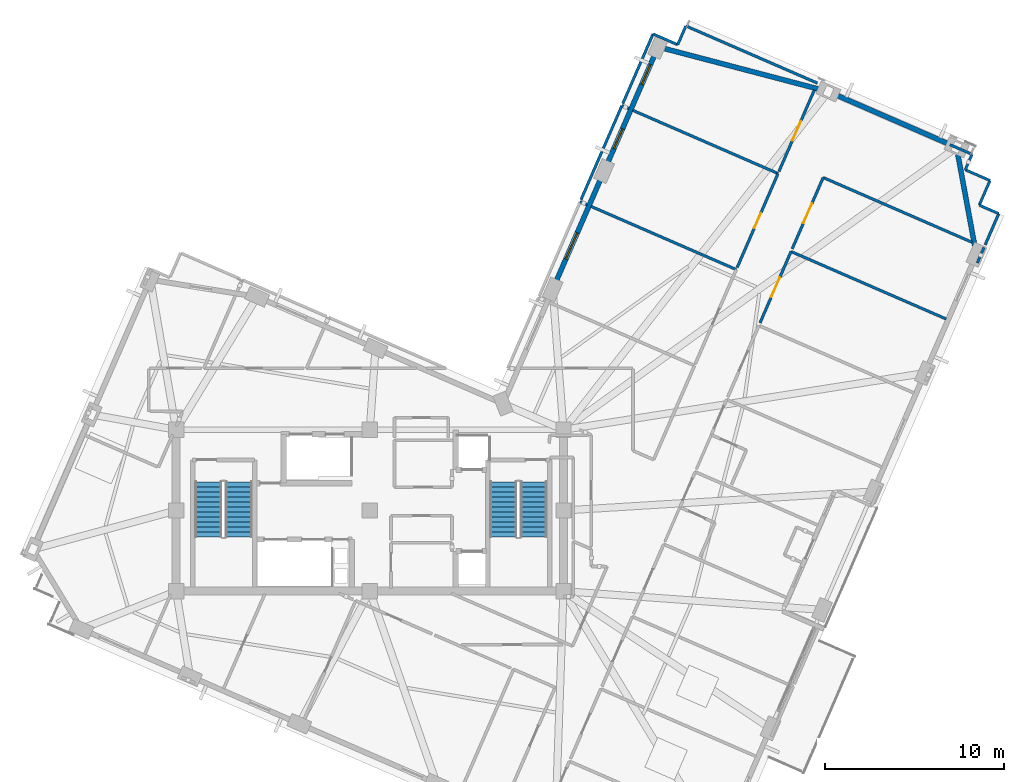
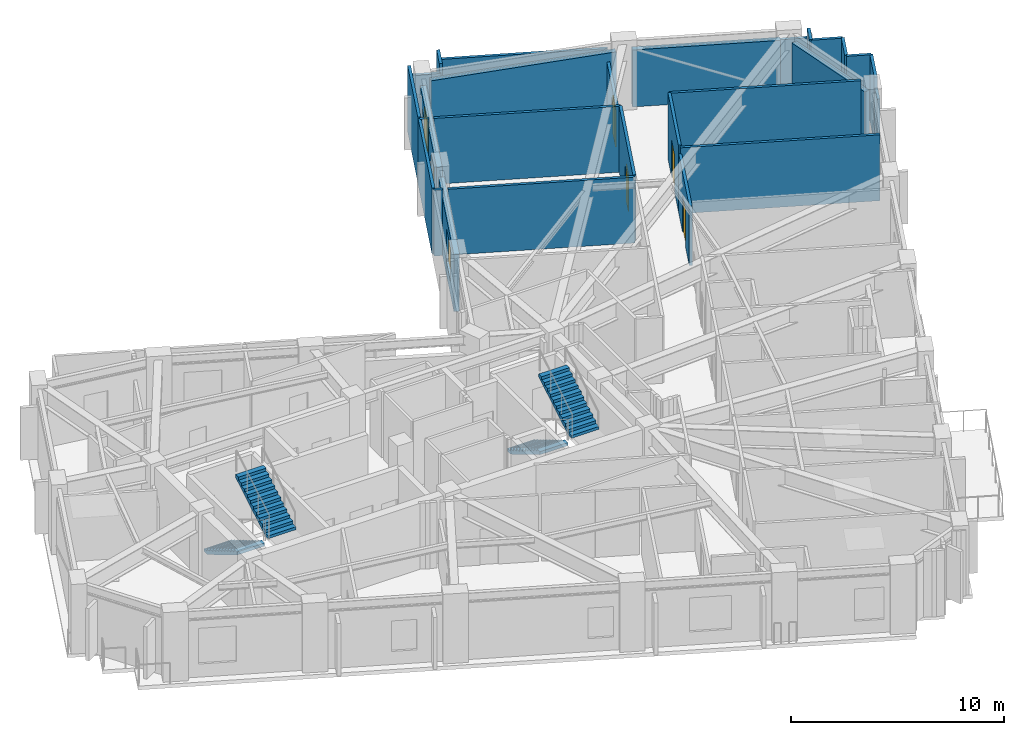
# One storey, part 9 of 12: 27 walls, 4 doors, 4 stair flights, 3 windows, 7 openings, 2 elements without a shape of their own.
"""IFC4 building model written with IfcOpenShell, lengths in metres."""

from ifc_helpers import new_model, si_unit, direction, frame, frame_2d, origin, place, context, subcontext, project, spatial, polyline, rectangle, outline, extrude, material, layer, layer_set, type_object, element, fill, aggregate, save


model = new_model("IFC4")

# Units and contexts
model_context = context("Model", 3, precision=1e-05, world=origin(), true_north=direction((0.0, 1.0)))
body_context = subcontext(model_context, "Body", "Model", "MODEL_VIEW")
ifc_project = project(units=[si_unit("LENGTHUNIT", "METRE"), si_unit("AREAUNIT", "SQUARE_METRE"), si_unit("VOLUMEUNIT", "CUBIC_METRE"), si_unit("PLANEANGLEUNIT", "RADIAN"), si_unit("MASSUNIT", "GRAM", prefix="KILO")], contexts=[model_context])

# Site, building, storey
site_placement = place(None, origin())
site = spatial("IfcSite", under=ifc_project, at=site_placement, CompositionType="ELEMENT")
building_placement = place(site_placement, origin())
building = spatial("IfcBuilding", under=site, at=building_placement, Name="Gaonmaruhae Medical Tower", CompositionType="ELEMENT")
storey_placement = place(building_placement, frame((0.0, 0.0, 320.60009765625)))
storey = spatial("IfcBuildingStorey", under=building, at=storey_placement, Name="L77", CompositionType="ELEMENT", Elevation=320.60009765625)

# Walls
ifc_material_1 = material(Name="Precast concrete C45/55", Category="concrete")
ifc_layer_1 = layer(ifc_material_1, 0.280029296875)
ifc_layer_set_1 = layer_set([ifc_layer_1], Name="Precast concrete C45/55")
wall_type_1 = type_object("IfcWallType", Name="EW-280 Upper Precast Masonry-Frame Facade Wall", PredefinedType="SOLIDWALL", material=ifc_layer_set_1)
wall_1_placement = place(storey_placement, frame((57.597900390625, 32.16162109375, 0.0), z_axis=(0.0, 0.0, 1.0), x_axis=(0.181421889976, -0.983405357845, 0.0)))
element("IfcWall", 1, at=wall_1_placement, inside=storey, type_object=wall_type_1, Name="L77 Precast Masonry-Frame Wall S06-E01", PredefinedType="SOLIDWALL", context=body_context, shape_type="SweptSolid", body=[
    extrude(rectangle(XDim=5.292724609375, YDim=0.280029296875, at=frame_2d((2.646484375, 0.0))), origin(), (0.0, 0.0, 1.0), 3.264892578125),
])
wall_2_placement = place(storey_placement, frame((50.7373046875, 35.50439453125, 0.0), z_axis=(0.0, 0.0, 1.0), x_axis=(0.917057311373, -0.398755423359, 0.0)))
element("IfcWall", 2, at=wall_2_placement, inside=storey, type_object=wall_type_1, Name="L77 Precast Masonry-Frame Wall E01-E02", PredefinedType="SOLIDWALL", context=body_context, shape_type="SweptSolid", body=[
    extrude(rectangle(XDim=7.0048828125, YDim=0.280029296875, at=frame_2d((3.50244140625, 0.0))), origin(), (0.0, 0.0, 1.0), 3.264892578125),
])
wall_3_placement = place(storey_placement, frame((41.263671875, 38.05419921875, 0.0), z_axis=(0.0, 0.0, 1.0), x_axis=(0.967228971308, -0.253905724755, 0.0)))
element("IfcWall", 3, at=wall_3_placement, inside=storey, type_object=wall_type_1, Name="L77 Precast Masonry-Frame Wall E02-E03", PredefinedType="SOLIDWALL", context=body_context, shape_type="SweptSolid", body=[
    extrude(rectangle(XDim=9.020263671875, YDim=0.280029296875, at=frame_2d((4.51025390625, 0.0))), origin(), (0.0, 0.0, 1.0), 3.264892578125),
])

# Wall, openings, windows
wall_4_placement = place(storey_placement, frame((38.027099609375, 31.595947265625, 0.0), z_axis=(0.0, 0.0, 1.0), x_axis=(0.398764437463, 0.917053391802, 0.0)))
wall_4 = element("IfcWall", 4, at=wall_4_placement, inside=storey, type_object=wall_type_1, Name="L77 Precast Masonry-Frame Wall E03-EN01", PredefinedType="SOLIDWALL", context=body_context, shape_type="SweptSolid", body=[
    extrude(rectangle(XDim=6.7548828125, YDim=0.280029296875, at=frame_2d((3.37744140625, 0.0))), origin(), (0.0, 0.0, 1.0), 3.264892578125),
])
opening_1_placement = place(wall_4_placement, frame((0.967529296875, 0.0, 0.75)))
opening_1 = element("IfcOpeningElement", 5, at=opening_1_placement, cuts=wall_4, Name="Opening WN-05", PredefinedType="OPENING", context=body_context, shape_type="SweptSolid", body=[
    extrude(rectangle(XDim=1.199951171875, YDim=1.75, at=frame_2d((0.60009765625, 0.875))), frame((0.0, 0.14990234375, 0.0), z_axis=(0.0, -1.0, 0.0), x_axis=(1.0, 0.0, 0.0)), (0.0, 0.0, 1.0), 0.300048828125),
])
opening_2_placement = place(wall_4_placement, frame((4.875, 0.0, 0.75)))
opening_2 = element("IfcOpeningElement", 6, at=opening_2_placement, cuts=wall_4, Name="Opening WN-05", PredefinedType="OPENING", context=body_context, shape_type="SweptSolid", body=[
    extrude(rectangle(XDim=1.199951171875, YDim=1.75, at=frame_2d((0.60009765625, 0.875))), frame((0.0, 0.14990234375, 0.0), z_axis=(0.0, -1.0, 0.0), x_axis=(1.0, 0.0, 0.0)), (0.0, 0.0, 1.0), 0.300048828125),
])
ifc_material_2 = material(Name="Anodised aluminium and Low-E double glazing", Category="aluminium")
window_type_1 = type_object("IfcWindowType", Name="WN-05 Support & Staff Punched Window 1200x1750", PartitioningType="SINGLE_PANEL", PredefinedType="WINDOW", material=ifc_material_2)
window_1_placement = place(opening_1_placement, origin())
window_1 = element("IfcWindow", 7, at=window_1_placement, inside=storey, type_object=window_type_1, Name="L77 Modular Facade Window E03", OverallHeight=1.75, OverallWidth=1.199951171875, PartitioningType="SINGLE_PANEL", PredefinedType="WINDOW", context=body_context, shape_type="SweptSolid", body=[
    extrude(rectangle(XDim=1.199951171875, YDim=1.75, at=frame_2d((0.60009765625, 0.875))), frame((0.0, 0.030029296875, 0.0), z_axis=(0.0, -1.0, 0.0), x_axis=(1.0, 0.0, 0.0)), (0.0, 0.0, 1.0), 0.06005859375),
])
fill(opening_1, window_1)
window_2_placement = place(opening_2_placement, origin())
window_2 = element("IfcWindow", 8, at=window_2_placement, inside=storey, type_object=window_type_1, Name="L77 Modular Facade Window E03B", OverallHeight=1.75, OverallWidth=1.199951171875, PartitioningType="SINGLE_PANEL", PredefinedType="WINDOW", context=body_context, shape_type="SweptSolid", body=[
    extrude(rectangle(XDim=1.199951171875, YDim=1.75, at=frame_2d((0.60009765625, 0.875))), frame((0.0, 0.030029296875, 0.0), z_axis=(0.0, -1.0, 0.0), x_axis=(1.0, 0.0, 0.0)), (0.0, 0.0, 1.0), 0.06005859375),
])
fill(opening_2, window_2)

# Wall, opening, window
wall_5_placement = place(storey_placement, frame((35.156005859375, 24.9931640625, 0.0), z_axis=(0.0, 0.0, 1.0), x_axis=(0.398758169539, 0.917056117272, 0.0)))
wall_5 = element("IfcWall", 9, at=wall_5_placement, inside=storey, type_object=wall_type_1, Name="L77 Precast Masonry-Frame Wall EN01-EN02", PredefinedType="SOLIDWALL", context=body_context, shape_type="SweptSolid", body=[
    extrude(rectangle(XDim=6.40478515625, YDim=0.280029296875, at=frame_2d((3.202392578125, 0.0))), origin(), (0.0, 0.0, 1.0), 3.264892578125),
])
opening_3_placement = place(wall_5_placement, frame((1.44677734375, 0.0, 0.75)))
opening_3 = element("IfcOpeningElement", 10, at=opening_3_placement, cuts=wall_5, Name="Opening WN-01", PredefinedType="OPENING", context=body_context, shape_type="SweptSolid", body=[
    extrude(rectangle(XDim=1.60009765625, YDim=1.949951171875, at=frame_2d((0.800048828125, 0.97509765625))), frame((0.0, 0.14990234375, 0.0), z_axis=(0.0, -1.0, 0.0), x_axis=(1.0, 0.0, 0.0)), (0.0, 0.0, 1.0), 0.300048828125),
])
window_type_2 = type_object("IfcWindowType", Name="WN-01 Ward Punched Acoustic Window 1600x1950", PartitioningType="SINGLE_PANEL", PredefinedType="WINDOW", material=ifc_material_2)
window_3_placement = place(opening_3_placement, origin())
window_3 = element("IfcWindow", 11, at=window_3_placement, inside=storey, type_object=window_type_2, Name="L77 Modular Facade Window EN01", OverallHeight=1.949951171875, OverallWidth=1.60009765625, PartitioningType="SINGLE_PANEL", PredefinedType="WINDOW", context=body_context, shape_type="SweptSolid", body=[
    extrude(rectangle(XDim=1.60009765625, YDim=1.949951171875, at=frame_2d((0.800048828125, 0.97509765625))), frame((0.0, 0.030029296875, 0.0), z_axis=(0.0, -1.0, 0.0), x_axis=(1.0, 0.0, 0.0)), (0.0, 0.0, 1.0), 0.06005859375),
])
fill(opening_3, window_3)

# Wall, opening, door
ifc_material_3 = material(Name="Gypsum board partition", Category="gypsum")
ifc_layer_2 = layer(ifc_material_3, 0.14990234375)
ifc_layer_set_2 = layer_set([ifc_layer_2], Name="Gypsum board partition")
wall_type_2 = type_object("IfcWallType", Name="PW-150 Rated Clinical Corridor Partition", PredefinedType="PARTITIONING", material=ifc_layer_set_2)
wall_6_placement = place(storey_placement, frame((46.56298828125, 22.761962890625, 0.0), z_axis=(0.0, 0.0, 1.0), x_axis=(0.398639711207, 0.917107616722, 0.0)))
wall_6 = element("IfcWall", 12, at=wall_6_placement, inside=storey, type_object=wall_type_2, Name="L77 Interior Partition L77-SUP05-49", PredefinedType="PARTITIONING", context=body_context, shape_type="SweptSolid", body=[
    extrude(rectangle(XDim=4.339599609375, YDim=0.14990234375, at=frame_2d((2.169921875, 0.0))), origin(), (0.0, 0.0, 1.0), 3.414794921875),
])
opening_4_placement = place(wall_6_placement, frame((1.56982421875, 0.0, 0.0)))
opening_4 = element("IfcOpeningElement", 13, at=opening_4_placement, cuts=wall_6, Name="Opening CD-02", PredefinedType="OPENING", context=body_context, shape_type="SweptSolid", body=[
    extrude(rectangle(XDim=1.199951171875, YDim=2.14990234375, at=frame_2d((0.60009765625, 1.074951171875))), frame((0.0, 0.0849609375, 0.0), z_axis=(0.0, -1.0, 0.0), x_axis=(1.0, 0.0, 0.0)), (0.0, 0.0, 1.0), 0.169921875),
])
ifc_material_4 = material(Name="Antimicrobial laminate timber fire door", Category="wood")
door_type_1 = type_object("IfcDoorType", Name="CD-02 Clinical Treatment & Procedure Door 1200x2150", OperationType="NOTDEFINED", PredefinedType="DOOR", material=ifc_material_4)
door_1_placement = place(opening_4_placement, origin())
door_1 = element("IfcDoor", 14, at=door_1_placement, inside=storey, type_object=door_type_1, Name="L77 Clinical Biomedical Charting Office Door", OperationType="SINGLE_SWING_RIGHT", OverallHeight=2.14990234375, OverallWidth=1.199951171875, PredefinedType="DOOR", context=body_context, shape_type="SweptSolid", body=[
    extrude(rectangle(XDim=1.199951171875, YDim=2.14990234375, at=frame_2d((0.60009765625, 1.074951171875))), frame((0.0, 0.02490234375, 0.0), z_axis=(0.0, -1.0, 0.0), x_axis=(1.0, 0.0, 0.0)), (0.0, 0.0, 1.0), 0.050048828125),
])
fill(opening_4, door_1)

# Wall
wall_7_placement = place(storey_placement, frame((48.29296875, 26.741943359375, 0.0), z_axis=(0.0, 0.0, 1.0), x_axis=(0.917063062267, -0.398742197197, 0.0)))
element("IfcWall", 15, at=wall_7_placement, inside=storey, type_object=wall_type_2, Name="L77 Interior Partition L77-SUP05-50", PredefinedType="PARTITIONING", context=body_context, shape_type="SweptSolid", body=[
    extrude(rectangle(XDim=9.4345703125, YDim=0.14990234375, at=frame_2d((4.71728515625, 0.0))), origin(), (0.0, 0.0, 1.0), 3.77978515625),
])

# Wall, opening, door
wall_8_placement = place(storey_placement, frame((48.35693359375, 26.888916015625, 0.0), z_axis=(0.0, 0.0, 1.0), x_axis=(0.398639711207, 0.917107616722, 0.0)))
wall_8 = element("IfcWall", 16, at=wall_8_placement, inside=storey, type_object=wall_type_2, Name="L77 Interior Partition L77-SUP06-52", PredefinedType="PARTITIONING", context=body_context, shape_type="SweptSolid", body=[
    extrude(rectangle(XDim=4.339599609375, YDim=0.14990234375, at=frame_2d((2.169921875, 0.0))), origin(), (0.0, 0.0, 1.0), 3.77978515625),
])
opening_5_placement = place(wall_8_placement, frame((1.56982421875, 0.0, 0.0)))
opening_5 = element("IfcOpeningElement", 17, at=opening_5_placement, cuts=wall_8, Name="Opening CD-02", PredefinedType="OPENING", context=body_context, shape_type="SweptSolid", body=[
    extrude(rectangle(XDim=1.199951171875, YDim=2.14990234375, at=frame_2d((0.60009765625, 1.074951171875))), frame((0.0, 0.0849609375, 0.0), z_axis=(0.0, -1.0, 0.0), x_axis=(1.0, 0.0, 0.0)), (0.0, 0.0, 1.0), 0.169921875),
])
door_2_placement = place(opening_5_placement, origin())
door_2 = element("IfcDoor", 18, at=door_2_placement, inside=storey, type_object=door_type_1, Name="L77 Clinical Biomedical Charting Office Door", OperationType="SINGLE_SWING_LEFT", OverallHeight=2.14990234375, OverallWidth=1.199951171875, PredefinedType="DOOR", context=body_context, shape_type="SweptSolid", body=[
    extrude(rectangle(XDim=1.199951171875, YDim=2.14990234375, at=frame_2d((0.60009765625, 1.074951171875))), frame((0.0, 0.02490234375, 0.0), z_axis=(0.0, -1.0, 0.0), x_axis=(1.0, 0.0, 0.0)), (0.0, 0.0, 1.0), 0.050048828125),
])
fill(opening_5, door_2)

# Walls
wall_9_placement = place(storey_placement, frame((50.0869140625, 30.868896484375, 0.0), z_axis=(0.0, 0.0, 1.0), x_axis=(0.917068340421, -0.398730057805, 0.0)))
element("IfcWall", 19, at=wall_9_placement, inside=storey, type_object=wall_type_2, Name="L77 Interior Partition L77-SUP06-53", PredefinedType="PARTITIONING", context=body_context, shape_type="SweptSolid", body=[
    extrude(rectangle(XDim=9.048583984375, YDim=0.14990234375, at=frame_2d((4.5244140625, 0.0))), origin(), (0.0, 0.0, 1.0), 3.77978515625),
])
wall_10_placement = place(storey_placement, frame((59.055908203125, 26.968994140625, 0.0), z_axis=(0.0, 0.0, 1.0), x_axis=(-0.399259700559, -0.91683787635, 0.0)))
element("IfcWall", 20, at=wall_10_placement, inside=storey, type_object=wall_type_2, Name="L77 Interior Partition L77-SUP06-55", PredefinedType="PARTITIONING", context=body_context, shape_type="SweptSolid", body=[
    extrude(rectangle(XDim=0.936767578125, YDim=0.14990234375, at=frame_2d((0.46826171875, 0.0))), origin(), (0.0, 0.0, 1.0), 3.264892578125),
])
wall_11_placement = place(storey_placement, frame((58.7958984375, 29.3291015625, 0.0), z_axis=(0.0, 0.0, 1.0), x_axis=(0.916839684451, -0.399255548509, 0.0)))
element("IfcWall", 21, at=wall_11_placement, inside=storey, type_object=wall_type_2, Name="L77 Interior Partition L77-BR04-56", PredefinedType="PARTITIONING", context=body_context, shape_type="SweptSolid", body=[
    extrude(rectangle(XDim=1.18017578125, YDim=0.14990234375, at=frame_2d((0.590087890625, 0.0))), origin(), (0.0, 0.0, 1.0), 3.77978515625),
])
wall_12_placement = place(storey_placement, frame((59.8779296875, 28.85791015625, 0.0), z_axis=(0.0, 0.0, 1.0), x_axis=(-0.39892347819, -0.916984219357, 0.0)))
element("IfcWall", 22, at=wall_12_placement, inside=storey, type_object=wall_type_2, Name="L77 Interior Partition L77-BR04-57", PredefinedType="PARTITIONING", context=body_context, shape_type="SweptSolid", body=[
    extrude(rectangle(XDim=1.899658203125, YDim=0.14990234375, at=frame_2d((0.94970703125, 0.0))), origin(), (0.0, 0.0, 1.0), 3.77978515625),
])
wall_13_placement = place(storey_placement, frame((57.156982421875, 32.701904296875, 0.0), z_axis=(0.0, 0.0, 1.0), x_axis=(0.917222637379, -0.398374991032, 0.0)))
element("IfcWall", 23, at=wall_13_placement, inside=storey, type_object=wall_type_2, Name="L77 Interior Partition L77-BR04-61", PredefinedType="PARTITIONING", context=body_context, shape_type="SweptSolid", body=[
    extrude(rectangle(XDim=1.34765625, YDim=0.14990234375, at=frame_2d((0.673828125, 0.0))), origin(), (0.0, 0.0, 1.0), 3.264892578125),
])
wall_14_placement = place(storey_placement, frame((58.39306640625, 32.1650390625, 0.0), z_axis=(0.0, 0.0, 1.0), x_axis=(-0.39889703488, -0.916995722762, 0.0)))
element("IfcWall", 24, at=wall_14_placement, inside=storey, type_object=wall_type_2, Name="L77 Interior Partition L77-BR04-62", PredefinedType="PARTITIONING", context=body_context, shape_type="SweptSolid", body=[
    extrude(rectangle(XDim=0.940185546875, YDim=0.14990234375, at=frame_2d((0.47021484375, 0.0))), origin(), (0.0, 0.0, 1.0), 3.77978515625),
])
wall_15_placement = place(storey_placement, frame((58.01806640625, 31.302978515625, 0.0), z_axis=(0.0, 0.0, 1.0), x_axis=(0.91691738696, -0.399077067107, 0.0)))
element("IfcWall", 25, at=wall_15_placement, inside=storey, type_object=wall_type_2, Name="L77 Interior Partition L77-BR04-63", PredefinedType="PARTITIONING", context=body_context, shape_type="SweptSolid", body=[
    extrude(rectangle(XDim=1.500732421875, YDim=0.14990234375, at=frame_2d((0.75048828125, 0.0))), origin(), (0.0, 0.0, 1.0), 3.77978515625),
])
wall_16_placement = place(storey_placement, frame((59.39404296875, 30.7041015625, 0.0), z_axis=(0.0, 0.0, 1.0), x_axis=(-0.398904712107, -0.916992383097, 0.0)))
element("IfcWall", 26, at=wall_16_placement, inside=storey, type_object=wall_type_2, Name="L77 Interior Partition L77-BR04-64", PredefinedType="PARTITIONING", context=body_context, shape_type="SweptSolid", body=[
    extrude(rectangle(XDim=1.49951171875, YDim=0.14990234375, at=frame_2d((0.749755859375, 0.0))), origin(), (0.0, 0.0, 1.0), 3.77978515625),
])
wall_17_placement = place(storey_placement, frame((36.527099609375, 29.52587890625, 0.0), z_axis=(0.0, 0.0, 1.0), x_axis=(0.916748651636, -0.399464528742, 0.0)))
element("IfcWall", 27, at=wall_17_placement, inside=storey, type_object=wall_type_2, Name="L77 Interior Partition L77-IE04-106", PredefinedType="PARTITIONING", context=body_context, shape_type="SweptSolid", body=[
    extrude(rectangle(XDim=0.43505859375, YDim=0.14990234375, at=frame_2d((0.217529296875, 0.0))), origin(), (0.0, 0.0, 1.0), 3.77978515625),
])
wall_18_placement = place(storey_placement, frame((37.136962890625, 29.260986328125, 0.0), z_axis=(0.0, 0.0, 1.0), x_axis=(0.917056875857, -0.398756424957, 0.0)))
element("IfcWall", 28, at=wall_18_placement, inside=storey, type_object=wall_type_2, Name="L77 Interior Partition L77-IE04-107", PredefinedType="PARTITIONING", context=body_context, shape_type="SweptSolid", body=[
    extrude(rectangle(XDim=8.8349609375, YDim=0.14990234375, at=frame_2d((4.41748046875, 0.0))), origin(), (0.0, 0.0, 1.0), 3.77978515625),
])

# Wall, opening, door
wall_19_placement = place(storey_placement, frame((47.568115234375, 31.094970703125, 0.0), z_axis=(0.0, 0.0, 1.0), x_axis=(-0.398677741034, -0.917091085337, 0.0)))
wall_19 = element("IfcWall", 29, at=wall_19_placement, inside=storey, type_object=wall_type_2, Name="L77 Interior Partition L77-IE05-108", PredefinedType="PARTITIONING", context=body_context, shape_type="SweptSolid", body=[
    extrude(rectangle(XDim=5.721435546875, YDim=0.14990234375, at=frame_2d((2.86083984375, 0.0))), origin(), (0.0, 0.0, 1.0), 3.77978515625),
])
opening_6_placement = place(wall_19_placement, frame((2.400634765625, 0.0, 0.0)))
opening_6 = element("IfcOpeningElement", 30, at=opening_6_placement, cuts=wall_19, Name="Opening UD-01", PredefinedType="OPENING", context=body_context, shape_type="SweptSolid", body=[
    extrude(rectangle(XDim=0.919921875, YDim=2.10009765625, at=frame_2d((0.4599609375, 1.050048828125))), frame((0.0, 0.0849609375, 0.0), z_axis=(0.0, -1.0, 0.0), x_axis=(1.0, 0.0, 0.0)), (0.0, 0.0, 1.0), 0.169921875),
])
ifc_material_5 = material(Name="Powder-coated steel utility door", Category="steel")
door_type_2 = type_object("IfcDoorType", Name="UD-01 Toilet, Utility & Housekeeping Door 920x2100", OperationType="NOTDEFINED", PredefinedType="DOOR", material=ifc_material_5)
door_3_placement = place(opening_6_placement, origin())
door_3 = element("IfcDoor", 31, at=door_3_placement, inside=storey, type_object=door_type_2, Name="L77 Ward Housekeeping and Linen Store Door", OperationType="SINGLE_SWING_LEFT", OverallHeight=2.10009765625, OverallWidth=0.919921875, PredefinedType="DOOR", context=body_context, shape_type="SweptSolid", body=[
    extrude(rectangle(XDim=0.919921875, YDim=2.10009765625, at=frame_2d((0.4599609375, 1.050048828125))), frame((0.0, 0.02490234375, 0.0), z_axis=(0.0, -1.0, 0.0), x_axis=(1.0, 0.0, 0.0)), (0.0, 0.0, 1.0), 0.050048828125),
])
fill(opening_6, door_3)

# Walls
wall_20_placement = place(storey_placement, frame((36.574951171875, 29.635986328125, 0.0), z_axis=(0.0, 0.0, 1.0), x_axis=(0.398677741034, 0.917091085337, 0.0)))
element("IfcWall", 32, at=wall_20_placement, inside=storey, type_object=wall_type_2, Name="L77 Interior Partition L77-IE05-109", PredefinedType="PARTITIONING", context=body_context, shape_type="SweptSolid", body=[
    extrude(rectangle(XDim=5.721435546875, YDim=0.14990234375, at=frame_2d((2.86083984375, 0.0))), origin(), (0.0, 0.0, 1.0), 3.77978515625),
])
wall_21_placement = place(storey_placement, frame((38.85595703125, 34.883056640625, 0.0), z_axis=(0.0, 0.0, 1.0), x_axis=(0.916543116757, -0.399935888769, 0.0)))
element("IfcWall", 33, at=wall_21_placement, inside=storey, type_object=wall_type_2, Name="L77 Interior Partition L77-IE05-110", PredefinedType="PARTITIONING", context=body_context, shape_type="SweptSolid", body=[
    extrude(rectangle(XDim=0.435302734375, YDim=0.14990234375, at=frame_2d((0.2177734375, 0.0))), origin(), (0.0, 0.0, 1.0), 3.77978515625),
])
wall_22_placement = place(storey_placement, frame((39.466064453125, 34.617919921875, 0.0), z_axis=(0.0, 0.0, 1.0), x_axis=(0.917056875857, -0.398756424957, 0.0)))
element("IfcWall", 34, at=wall_22_placement, inside=storey, type_object=wall_type_2, Name="L77 Interior Partition L77-IE05-111", PredefinedType="PARTITIONING", context=body_context, shape_type="SweptSolid", body=[
    extrude(rectangle(XDim=8.8349609375, YDim=0.14990234375, at=frame_2d((4.41748046875, 0.0))), origin(), (0.0, 0.0, 1.0), 3.77978515625),
])
wall_23_placement = place(storey_placement, frame((41.969970703125, 38.281005859375, 0.0), z_axis=(0.0, 0.0, 1.0), x_axis=(0.398569395059, 0.917138177878, 0.0)))
element("IfcWall", 35, at=wall_23_placement, inside=storey, type_object=wall_type_2, Name="L77 Interior Partition L77-IE06-112", PredefinedType="PARTITIONING", context=body_context, shape_type="SweptSolid", body=[
    extrude(rectangle(XDim=1.139404296875, YDim=0.14990234375, at=frame_2d((0.56982421875, 0.0))), origin(), (0.0, 0.0, 1.0), 3.77978515625),
])
wall_24_placement = place(storey_placement, frame((42.424072265625, 39.325927734375, 0.0), z_axis=(0.0, 0.0, 1.0), x_axis=(0.917071026557, -0.398723879708, 0.0)))
element("IfcWall", 36, at=wall_24_placement, inside=storey, type_object=wall_type_2, Name="L77 Interior Partition L77-IE06-113", PredefinedType="PARTITIONING", context=body_context, shape_type="SweptSolid", body=[
    extrude(rectangle(XDim=8.00048828125, YDim=0.14990234375, at=frame_2d((4.000244140625, 0.0))), origin(), (0.0, 0.0, 1.0), 3.264892578125),
])

# Wall, opening, door
wall_25_placement = place(storey_placement, frame((49.593017578125, 35.7490234375, 0.0), z_axis=(0.0, 0.0, 1.0), x_axis=(-0.398967500085, -0.916965066879, 0.0)))
wall_25 = element("IfcWall", 37, at=wall_25_placement, inside=storey, type_object=wall_type_2, Name="L77 Interior Partition L77-IE06-114", PredefinedType="PARTITIONING", context=body_context, shape_type="SweptSolid", body=[
    extrude(rectangle(XDim=4.955322265625, YDim=0.14990234375, at=frame_2d((2.4775390625, 0.0))), origin(), (0.0, 0.0, 1.0), 2.764892578125),
])
opening_7_placement = place(wall_25_placement, frame((1.877685546875, 0.0, 0.0)))
opening_7 = element("IfcOpeningElement", 38, at=opening_7_placement, cuts=wall_25, Name="Opening CD-02", PredefinedType="OPENING", context=body_context, shape_type="SweptSolid", body=[
    extrude(rectangle(XDim=1.199951171875, YDim=2.14990234375, at=frame_2d((0.60009765625, 1.074951171875))), frame((0.0, 0.0849609375, 0.0), z_axis=(0.0, -1.0, 0.0), x_axis=(1.0, 0.0, 0.0)), (0.0, 0.0, 1.0), 0.169921875),
])
door_4_placement = place(opening_7_placement, origin())
door_4 = element("IfcDoor", 39, at=door_4_placement, inside=storey, type_object=door_type_1, Name="L77 Multidisciplinary Clinical Consultation Room Door", OperationType="SINGLE_SWING_LEFT", OverallHeight=2.14990234375, OverallWidth=1.199951171875, PredefinedType="DOOR", context=body_context, shape_type="SweptSolid", body=[
    extrude(rectangle(XDim=1.199951171875, YDim=2.14990234375, at=frame_2d((0.60009765625, 1.074951171875))), frame((0.0, 0.02490234375, 0.0), z_axis=(0.0, -1.0, 0.0), x_axis=(1.0, 0.0, 0.0)), (0.0, 0.0, 1.0), 0.050048828125),
])
fill(opening_7, door_4)

# Walls
wall_26_placement = place(storey_placement, frame((38.904052734375, 34.992919921875, 0.0), z_axis=(0.0, 0.0, 1.0), x_axis=(0.398801951282, 0.917037078669, 0.0)))
element("IfcWall", 40, at=wall_26_placement, inside=storey, type_object=wall_type_2, Name="L77 Interior Partition L77-IE06-115", PredefinedType="PARTITIONING", context=body_context, shape_type="SweptSolid", body=[
    extrude(rectangle(XDim=4.237548828125, YDim=0.14990234375, at=frame_2d((2.11865234375, 0.0))), origin(), (0.0, 0.0, 1.0), 3.77978515625),
])
wall_27_placement = place(storey_placement, frame((40.593994140625, 38.87890625, 0.0), z_axis=(0.0, 0.0, 1.0), x_axis=(0.91715541112, -0.398529737728, 0.0)))
element("IfcWall", 41, at=wall_27_placement, inside=storey, type_object=wall_type_2, Name="L77 Interior Partition L77-IE06-116", PredefinedType="PARTITIONING", context=body_context, shape_type="SweptSolid", body=[
    extrude(rectangle(XDim=1.500244140625, YDim=0.14990234375, at=frame_2d((0.75, 0.0))), origin(), (0.0, 0.0, 1.0), 3.264892578125),
])

# Stair, stair flights
ifc_material_6 = material(Name="Concrete C40/50", Category="concrete")
stair_type = type_object("IfcStairType", Name="ST-T1 Primary Core Escape Dogleg Stair", PredefinedType="TWO_QUARTER_TURN_STAIR", material=ifc_material_6)
stair_1_placement = place(storey_placement, origin())
stair_1 = element("IfcStair", 42, at=stair_1_placement, inside=storey, type_object=stair_type, Name="L77 Protected Escape Stair ST-01", PredefinedType="TWO_QUARTER_TURN_STAIR")
stair_flight_type = type_object("IfcStairFlightType", Name="SF-T1 Primary Core Precast Stair Flight", PredefinedType="STRAIGHT", material=ifc_material_6)
stair_flight_1_placement = place(storey_placement, frame((15.800048828125, 13.89990234375, 0.0), z_axis=(0.0, 0.0, 1.0), x_axis=(0.0, -1.0, 0.0)))
stair_flight_1 = element("IfcStairFlight", 43, at=stair_flight_1_placement, type_object=stair_flight_type, Name="ST-01 flight 1", NumberOfRisers=12, NumberOfTreads=11, PredefinedType="STRAIGHT", RiserHeight=0.166666667, TreadLength=0.28, context=body_context, shape_type="SweptSolid", body=[
    extrude(outline(polyline([(0.0, 0.0), (0.0, 0.166748046875), (0.280029296875, 0.166748046875), (0.280029296875, 0.333251953125), (0.56005859375, 0.333251953125), (0.56005859375, 0.5), (0.840087890625, 0.5), (0.840087890625, 0.666748046875), (1.1201171875, 0.666748046875), (1.1201171875, 0.833251953125), (1.39990234375, 0.833251953125), (1.39990234375, 1.0), (1.679931640625, 1.0), (1.679931640625, 1.166748046875), (1.9599609375, 1.166748046875), (1.9599609375, 1.333251953125), (2.239990234375, 1.333251953125), (2.239990234375, 1.5), (2.52001953125, 1.5), (2.52001953125, 1.666748046875), (2.800048828125, 1.666748046875), (2.800048828125, 1.833251953125), (3.080078125, 1.833251953125), (3.080078125, 2.0), (3.080078125, 1.658935546875), (0.29296875, 0.0), (0.0, 0.0)])), frame((0.0, 0.75, 0.0), z_axis=(0.0, -1.0, 0.0), x_axis=(1.0, 0.0, 0.0)), (0.0, 0.0, 1.0), 1.5),
])
stair_flight_2_placement = place(storey_placement, frame((17.5, 10.820068359375, 2.0), z_axis=(0.0, 0.0, 1.0), x_axis=(0.0, 1.0, 0.0)))
stair_flight_2 = element("IfcStairFlight", 44, at=stair_flight_2_placement, type_object=stair_flight_type, Name="ST-01 flight 2", NumberOfRisers=12, NumberOfTreads=11, PredefinedType="STRAIGHT", RiserHeight=0.166666667, TreadLength=0.28, context=body_context, shape_type="SweptSolid", body=[
    extrude(outline(polyline([(0.0, 0.0), (0.0, 0.166748046875), (0.280029296875, 0.166748046875), (0.280029296875, 0.333251953125), (0.56005859375, 0.333251953125), (0.56005859375, 0.5), (0.840087890625, 0.5), (0.840087890625, 0.666748046875), (1.1201171875, 0.666748046875), (1.1201171875, 0.833251953125), (1.39990234375, 0.833251953125), (1.39990234375, 1.0), (1.679931640625, 1.0), (1.679931640625, 1.166748046875), (1.9599609375, 1.166748046875), (1.9599609375, 1.333251953125), (2.239990234375, 1.333251953125), (2.239990234375, 1.5), (2.52001953125, 1.5), (2.52001953125, 1.666748046875), (2.800048828125, 1.666748046875), (2.800048828125, 1.833251953125), (3.080078125, 1.833251953125), (3.080078125, 2.0), (3.080078125, 1.658935546875), (0.29296875, 0.0), (0.0, 0.0)])), frame((0.0, 0.75, 0.0), z_axis=(0.0, -1.0, 0.0), x_axis=(1.0, 0.0, 0.0)), (0.0, 0.0, 1.0), 1.5),
])
aggregate(stair_1, [stair_flight_1, stair_flight_2])

stair_2_placement = place(storey_placement, origin())
stair_2 = element("IfcStair", 45, at=stair_2_placement, inside=storey, type_object=stair_type, Name="L77 Protected Escape Stair ST-02", PredefinedType="TWO_QUARTER_TURN_STAIR")
stair_flight_3_placement = place(storey_placement, frame((32.25, 13.89990234375, 0.0), z_axis=(0.0, 0.0, 1.0), x_axis=(0.0, -1.0, 0.0)))
stair_flight_3 = element("IfcStairFlight", 46, at=stair_flight_3_placement, type_object=stair_flight_type, Name="ST-02 flight 1", NumberOfRisers=12, NumberOfTreads=11, PredefinedType="STRAIGHT", RiserHeight=0.166666667, TreadLength=0.28, context=body_context, shape_type="SweptSolid", body=[
    extrude(outline(polyline([(0.0, 0.0), (0.0, 0.166748046875), (0.280029296875, 0.166748046875), (0.280029296875, 0.333251953125), (0.56005859375, 0.333251953125), (0.56005859375, 0.5), (0.840087890625, 0.5), (0.840087890625, 0.666748046875), (1.1201171875, 0.666748046875), (1.1201171875, 0.833251953125), (1.39990234375, 0.833251953125), (1.39990234375, 1.0), (1.679931640625, 1.0), (1.679931640625, 1.166748046875), (1.9599609375, 1.166748046875), (1.9599609375, 1.333251953125), (2.239990234375, 1.333251953125), (2.239990234375, 1.5), (2.52001953125, 1.5), (2.52001953125, 1.666748046875), (2.800048828125, 1.666748046875), (2.800048828125, 1.833251953125), (3.080078125, 1.833251953125), (3.080078125, 2.0), (3.080078125, 1.658935546875), (0.29296875, 0.0), (0.0, 0.0)])), frame((0.0, 0.75, 0.0), z_axis=(0.0, -1.0, 0.0), x_axis=(1.0, 0.0, 0.0)), (0.0, 0.0, 1.0), 1.5),
])
stair_flight_4_placement = place(storey_placement, frame((33.949951171875, 10.820068359375, 2.0), z_axis=(0.0, 0.0, 1.0), x_axis=(0.0, 1.0, 0.0)))
stair_flight_4 = element("IfcStairFlight", 47, at=stair_flight_4_placement, type_object=stair_flight_type, Name="ST-02 flight 2", NumberOfRisers=12, NumberOfTreads=11, PredefinedType="STRAIGHT", RiserHeight=0.166666667, TreadLength=0.28, context=body_context, shape_type="SweptSolid", body=[
    extrude(outline(polyline([(0.0, 0.0), (0.0, 0.166748046875), (0.280029296875, 0.166748046875), (0.280029296875, 0.333251953125), (0.56005859375, 0.333251953125), (0.56005859375, 0.5), (0.840087890625, 0.5), (0.840087890625, 0.666748046875), (1.1201171875, 0.666748046875), (1.1201171875, 0.833251953125), (1.39990234375, 0.833251953125), (1.39990234375, 1.0), (1.679931640625, 1.0), (1.679931640625, 1.166748046875), (1.9599609375, 1.166748046875), (1.9599609375, 1.333251953125), (2.239990234375, 1.333251953125), (2.239990234375, 1.5), (2.52001953125, 1.5), (2.52001953125, 1.666748046875), (2.800048828125, 1.666748046875), (2.800048828125, 1.833251953125), (3.080078125, 1.833251953125), (3.080078125, 2.0), (3.080078125, 1.658935546875), (0.29296875, 0.0), (0.0, 0.0)])), frame((0.0, 0.75, 0.0), z_axis=(0.0, -1.0, 0.0), x_axis=(1.0, 0.0, 0.0)), (0.0, 0.0, 1.0), 1.5),
])
aggregate(stair_2, [stair_flight_3, stair_flight_4])

save(model, "model.ifc")
